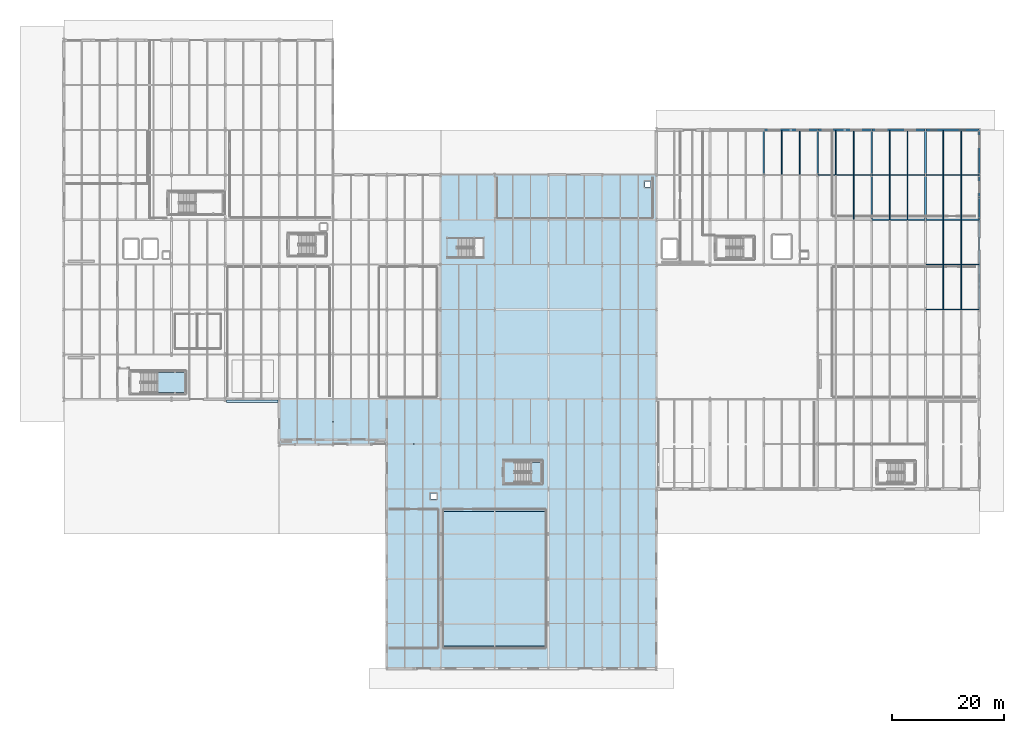
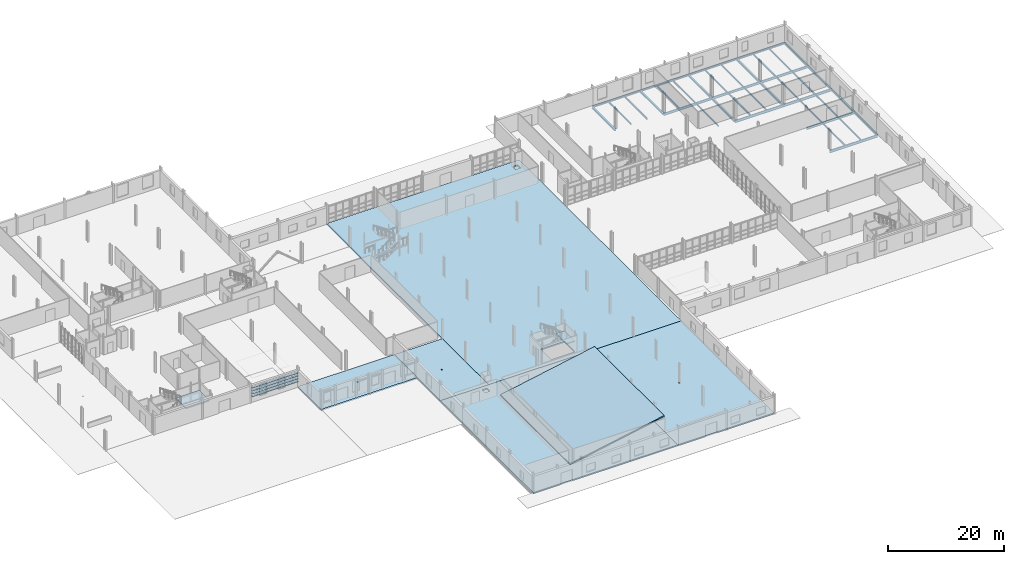
# One storey, part 47 of 78: 38 beams, 8 slabs, 4 plates, 2 elements without a shape of their own.
"""IFC4 building model written with IfcOpenShell, lengths in metres."""

from ifc_helpers import new_model, si_unit, direction, frame, origin, origin_2d, place, context, subcontext, project, spatial, polyline, rectangle, i_section, outline, extrude, material, layer, layer_set, material_profile, profile_set, type_object, element, aggregate, save


model = new_model("IFC4")

# Units and contexts
model_context = context("Model", 3, precision=1e-05, world=origin(), true_north=direction((0.0, 1.0)))
body_context = subcontext(model_context, "Body", "Model", "MODEL_VIEW")
ifc_project = project(units=[si_unit("LENGTHUNIT", "METRE"), si_unit("AREAUNIT", "SQUARE_METRE"), si_unit("VOLUMEUNIT", "CUBIC_METRE"), si_unit("PLANEANGLEUNIT", "RADIAN"), si_unit("MASSUNIT", "GRAM", prefix="KILO")], contexts=[model_context])

# Site, building, storey
site_placement = place(None, origin())
site = spatial("IfcSite", under=ifc_project, at=site_placement, CompositionType="ELEMENT")
building_placement = place(site_placement, origin())
building = spatial("IfcBuilding", under=site, at=building_placement, Name="Alderhovde Museum", CompositionType="ELEMENT")
storey_placement = place(building_placement, origin())
storey = spatial("IfcBuildingStorey", under=building, at=storey_placement, Name="L00", CompositionType="ELEMENT", Elevation=0.0)

# Beams
ifc_material_1 = material(Name="Steel S355J2", Category="steel")
ifc_material_profile_1 = material_profile(ifc_material_1, i_section(OverallWidth=0.300048828125, OverallDepth=0.389892578125, WebThickness=0.010986328125, FlangeThickness=0.01904296875, FilletRadius=0.027099609375, at=origin_2d()), Name="HEA 400")
ifc_profile_set_1 = profile_set([ifc_material_profile_1], Name="Steel S355J2")
beam_type_1 = type_object("IfcBeamType", Name="BM-HEA400", PredefinedType="BEAM", material=ifc_profile_set_1)
for number, where, z_axis, x_axis, name in (
    (1, (134.39990234375, 88.0, -0.47509765625), (0.0, 1.0, 0.0), (-1.0, 0.0, 0.0), "L00 Grid Beam X=134.4 (88.0 TO 96.0)"),
    (2, (144.0, 88.0, -0.47509765625), (0.0, 1.0, 0.0), (-1.0, 0.0, 0.0), "L00 Grid Beam X=144.0 (88.0 TO 96.0)"),
    (3, (153.60009765625, 80.0, -0.47509765625), (0.0, 1.0, 0.0), (-1.0, 0.0, 0.0), "L00 Grid Beam X=153.6 (80.0 TO 88.0)"),
    (4, (153.60009765625, 88.0, -0.47509765625), (0.0, 1.0, 0.0), (-1.0, 0.0, 0.0), "L00 Grid Beam X=153.6 (88.0 TO 96.0)"),
    (5, (163.199951171875, 80.0, -0.47509765625), (0.0, 1.0, 0.0), (-1.0, 0.0, 0.0), "L00 Grid Beam X=163.2 (80.0 TO 88.0)"),
    (6, (163.199951171875, 88.0, -0.47509765625), (0.0, 1.0, 0.0), (-1.0, 0.0, 0.0), "L00 Grid Beam X=163.2 (88.0 TO 96.0)"),
    (7, (172.800048828125, 64.0, -0.47509765625), (0.0, 1.0, 0.0), (-1.0, 0.0, 0.0), "L00 Grid Beam X=172.8 (64.0 TO 72.0)"),
    (8, (172.800048828125, 72.0, -0.47509765625), (0.0, 1.0, 0.0), (-1.0, 0.0, 0.0), "L00 Grid Beam X=172.8 (72.0 TO 80.0)"),
    (9, (172.800048828125, 80.0, -0.47509765625), (0.0, 1.0, 0.0), (-1.0, 0.0, 0.0), "L00 Grid Beam X=172.8 (80.0 TO 88.0)"),
    (10, (172.800048828125, 88.0, -0.47509765625), (0.0, 1.0, 0.0), (-1.0, 0.0, 0.0), "L00 Grid Beam X=172.8 (88.0 TO 96.0)"),
):
    element("IfcBeam", number, at=place(storey_placement, frame(where, z_axis=z_axis, x_axis=x_axis)), inside=storey, type_object=beam_type_1, Name=name, PredefinedType="BEAM", context=body_context, shape_type="SweptSolid", body=[
        extrude(i_section(OverallWidth=0.300048828125, OverallDepth=0.389892578125, WebThickness=0.010986328125, FlangeThickness=0.01904296875, FilletRadius=0.027099609375, at=origin_2d()), origin(), (0.0, 0.0, 1.0), 8.0),
    ])
ifc_material_2 = material(Name="Steel S355J2", Category="steel")
ifc_material_profile_2 = material_profile(ifc_material_2, i_section(OverallWidth=0.199951171875, OverallDepth=0.5, WebThickness=0.01025390625, FlangeThickness=0.01611328125, FilletRadius=0.02099609375, at=origin_2d()), Name="IPE 500")
ifc_profile_set_2 = profile_set([ifc_material_profile_2], Name="Steel S355J2")
beam_type_2 = type_object("IfcBeamType", Name="BM-IPE500", PredefinedType="BEAM", material=ifc_profile_set_2)
for number, where, z_axis, x_axis, name in (
    (11, (163.199951171875, 72.0, -0.530029296875), (1.0, 0.0, 0.0), (0.0, 1.0, 0.0), "L00 Grid Beam Y=72.0 (163.2 TO 172.8)"),
    (12, (144.0, 88.0, -0.530029296875), (1.0, 0.0, 0.0), (0.0, 1.0, 0.0), "L00 Grid Beam Y=88.0 (144.0 TO 153.6)"),
):
    element("IfcBeam", number, at=place(storey_placement, frame(where, z_axis=z_axis, x_axis=x_axis)), inside=storey, type_object=beam_type_2, Name=name, PredefinedType="BEAM", context=body_context, shape_type="SweptSolid", body=[
        extrude(i_section(OverallWidth=0.199951171875, OverallDepth=0.5, WebThickness=0.01025390625, FlangeThickness=0.01611328125, FilletRadius=0.02099609375, at=origin_2d()), origin(), (0.0, 0.0, 1.0), 9.60009765625),
    ])
beam_1_placement = place(storey_placement, frame((153.60009765625, 88.0, -0.530029296875), z_axis=(1.0, 0.0, 0.0), x_axis=(0.0, 1.0, 0.0)))
element("IfcBeam", 13, at=beam_1_placement, inside=storey, type_object=beam_type_2, Name="L00 Grid Beam Y=88.0 (153.6 TO 163.2)", PredefinedType="BEAM", context=body_context, shape_type="SweptSolid", body=[
    extrude(i_section(OverallWidth=0.199951171875, OverallDepth=0.5, WebThickness=0.01025390625, FlangeThickness=0.01611328125, FilletRadius=0.02099609375, at=origin_2d()), origin(), (0.0, 0.0, 1.0), 9.599853515625),
])
beam_2_placement = place(storey_placement, frame((163.199951171875, 88.0, -0.530029296875), z_axis=(1.0, 0.0, 0.0), x_axis=(0.0, 1.0, 0.0)))
element("IfcBeam", 14, at=beam_2_placement, inside=storey, type_object=beam_type_2, Name="L00 Grid Beam Y=88.0 (163.2 TO 172.8)", PredefinedType="BEAM", context=body_context, shape_type="SweptSolid", body=[
    extrude(i_section(OverallWidth=0.199951171875, OverallDepth=0.5, WebThickness=0.01025390625, FlangeThickness=0.01611328125, FilletRadius=0.02099609375, at=origin_2d()), origin(), (0.0, 0.0, 1.0), 9.60009765625),
])
ifc_material_3 = material(Name="Steel S355J2", Category="steel")
ifc_material_profile_3 = material_profile(ifc_material_3, i_section(OverallWidth=0.2099609375, OverallDepth=0.550048828125, WebThickness=0.010986328125, FlangeThickness=0.01708984375, FilletRadius=0.02392578125, at=origin_2d()), Name="IPE 550")
ifc_profile_set_3 = profile_set([ifc_material_profile_3], Name="Steel S355J2")
beam_type_3 = type_object("IfcBeamType", Name="BM-IPE550", PredefinedType="BEAM", material=ifc_profile_set_3)
beam_3_placement = place(storey_placement, frame((163.199951171875, 64.0, -0.554931640625), z_axis=(1.0, 0.0, 0.0), x_axis=(0.0, 1.0, 0.0)))
element("IfcBeam", 15, at=beam_3_placement, inside=storey, type_object=beam_type_3, Name="L00 Grid Beam Y=64.0 (163.2 TO 172.8)", PredefinedType="BEAM", context=body_context, shape_type="SweptSolid", body=[
    extrude(i_section(OverallWidth=0.2099609375, OverallDepth=0.550048828125, WebThickness=0.010986328125, FlangeThickness=0.01708984375, FilletRadius=0.02392578125, at=origin_2d()), origin(), (0.0, 0.0, 1.0), 9.60009765625),
])
beam_4_placement = place(storey_placement, frame((153.60009765625, 80.0, -0.554931640625), z_axis=(1.0, 0.0, 0.0), x_axis=(0.0, 1.0, 0.0)))
element("IfcBeam", 16, at=beam_4_placement, inside=storey, type_object=beam_type_3, Name="L00 Grid Beam Y=80.0 (153.6 TO 163.2)", PredefinedType="BEAM", context=body_context, shape_type="SweptSolid", body=[
    extrude(i_section(OverallWidth=0.2099609375, OverallDepth=0.550048828125, WebThickness=0.010986328125, FlangeThickness=0.01708984375, FilletRadius=0.02392578125, at=origin_2d()), origin(), (0.0, 0.0, 1.0), 9.599853515625),
])
beam_5_placement = place(storey_placement, frame((163.199951171875, 80.0, -0.554931640625), z_axis=(1.0, 0.0, 0.0), x_axis=(0.0, 1.0, 0.0)))
element("IfcBeam", 17, at=beam_5_placement, inside=storey, type_object=beam_type_3, Name="L00 Grid Beam Y=80.0 (163.2 TO 172.8)", PredefinedType="BEAM", context=body_context, shape_type="SweptSolid", body=[
    extrude(i_section(OverallWidth=0.2099609375, OverallDepth=0.550048828125, WebThickness=0.010986328125, FlangeThickness=0.01708984375, FilletRadius=0.02392578125, at=origin_2d()), origin(), (0.0, 0.0, 1.0), 9.60009765625),
])
ifc_material_4 = material(Name="Steel S355J2", Category="steel")
ifc_material_profile_4 = material_profile(ifc_material_4, i_section(OverallWidth=0.159912109375, OverallDepth=0.330078125, WebThickness=0.007568359375, FlangeThickness=0.011474609375, FilletRadius=0.01806640625, at=origin_2d()), Name="IPE 330")
ifc_profile_set_4 = profile_set([ifc_material_profile_4], Name="Steel S355J2")
beam_type_4 = type_object("IfcBeamType", Name="JST-IPE330", PredefinedType="JOIST", material=ifc_profile_set_4)
for number, where, z_axis, x_axis, name in (
    (18, (137.60009765625, 88.10009765625, -0.445068359375), (0.0, 1.0, 0.0), (-1.0, 0.0, 0.0), "L00 Composite Joist X=137.6 (88.0 TO 96.0)"),
    (19, (140.800048828125, 88.10009765625, -0.445068359375), (0.0, 1.0, 0.0), (-1.0, 0.0, 0.0), "L00 Composite Joist X=140.8 (88.0 TO 96.0)"),
):
    element("IfcBeam", number, at=place(storey_placement, frame(where, z_axis=z_axis, x_axis=x_axis)), inside=storey, type_object=beam_type_4, Name=name, PredefinedType="JOIST", context=body_context, shape_type="SweptSolid", body=[
        extrude(i_section(OverallWidth=0.159912109375, OverallDepth=0.330078125, WebThickness=0.007568359375, FlangeThickness=0.011474609375, FilletRadius=0.01806640625, at=origin_2d()), origin(), (0.0, 0.0, 1.0), 7.75),
    ])
beam_6_placement = place(storey_placement, frame((150.39990234375, 80.10498046875, -0.445068359375), z_axis=(0.0, 1.0, 0.0), x_axis=(-1.0, 0.0, 0.0)))
element("IfcBeam", 20, at=beam_6_placement, inside=storey, type_object=beam_type_4, Name="L00 Composite Joist X=150.4 (80.0 TO 88.0)", PredefinedType="JOIST", context=body_context, shape_type="SweptSolid", body=[
    extrude(i_section(OverallWidth=0.159912109375, OverallDepth=0.330078125, WebThickness=0.007568359375, FlangeThickness=0.011474609375, FilletRadius=0.01806640625, at=origin_2d()), origin(), (0.0, 0.0, 1.0), 7.794921875),
])
for number, where, z_axis, x_axis, name in (
    (21, (147.199951171875, 88.10009765625, -0.445068359375), (0.0, 1.0, 0.0), (-1.0, 0.0, 0.0), "L00 Composite Joist X=147.2 (88.0 TO 96.0)"),
    (22, (150.39990234375, 88.10009765625, -0.445068359375), (0.0, 1.0, 0.0), (-1.0, 0.0, 0.0), "L00 Composite Joist X=150.4 (88.0 TO 96.0)"),
):
    element("IfcBeam", number, at=place(storey_placement, frame(where, z_axis=z_axis, x_axis=x_axis)), inside=storey, type_object=beam_type_4, Name=name, PredefinedType="JOIST", context=body_context, shape_type="SweptSolid", body=[
        extrude(i_section(OverallWidth=0.159912109375, OverallDepth=0.330078125, WebThickness=0.007568359375, FlangeThickness=0.011474609375, FilletRadius=0.01806640625, at=origin_2d()), origin(), (0.0, 0.0, 1.0), 7.75),
    ])
for number, where, z_axis, x_axis, name in (
    (23, (156.800048828125, 80.10498046875, -0.445068359375), (0.0, 1.0, 0.0), (-1.0, 0.0, 0.0), "L00 Composite Joist X=156.8 (80.0 TO 88.0)"),
    (24, (160.0, 80.10498046875, -0.445068359375), (0.0, 1.0, 0.0), (-1.0, 0.0, 0.0), "L00 Composite Joist X=160.0 (80.0 TO 88.0)"),
):
    element("IfcBeam", number, at=place(storey_placement, frame(where, z_axis=z_axis, x_axis=x_axis)), inside=storey, type_object=beam_type_4, Name=name, PredefinedType="JOIST", context=body_context, shape_type="SweptSolid", body=[
        extrude(i_section(OverallWidth=0.159912109375, OverallDepth=0.330078125, WebThickness=0.007568359375, FlangeThickness=0.011474609375, FilletRadius=0.01806640625, at=origin_2d()), origin(), (0.0, 0.0, 1.0), 7.794921875),
    ])
for number, where, z_axis, x_axis, name in (
    (25, (156.800048828125, 88.10009765625, -0.445068359375), (0.0, 1.0, 0.0), (-1.0, 0.0, 0.0), "L00 Composite Joist X=156.8 (88.0 TO 96.0)"),
    (26, (160.0, 88.10009765625, -0.445068359375), (0.0, 1.0, 0.0), (-1.0, 0.0, 0.0), "L00 Composite Joist X=160.0 (88.0 TO 96.0)"),
):
    element("IfcBeam", number, at=place(storey_placement, frame(where, z_axis=z_axis, x_axis=x_axis)), inside=storey, type_object=beam_type_4, Name=name, PredefinedType="JOIST", context=body_context, shape_type="SweptSolid", body=[
        extrude(i_section(OverallWidth=0.159912109375, OverallDepth=0.330078125, WebThickness=0.007568359375, FlangeThickness=0.011474609375, FilletRadius=0.01806640625, at=origin_2d()), origin(), (0.0, 0.0, 1.0), 7.75),
    ])
for number, where, z_axis, x_axis, name in (
    (27, (166.39990234375, 64.10498046875, -0.445068359375), (0.0, 1.0, 0.0), (-1.0, 0.0, 0.0), "L00 Composite Joist X=166.4 (64.0 TO 72.0)"),
    (28, (169.60009765625, 64.10498046875, -0.445068359375), (0.0, 1.0, 0.0), (-1.0, 0.0, 0.0), "L00 Composite Joist X=169.6 (64.0 TO 72.0)"),
    (29, (166.39990234375, 72.10009765625, -0.445068359375), (0.0, 1.0, 0.0), (-1.0, 0.0, 0.0), "L00 Composite Joist X=166.4 (72.0 TO 80.0)"),
    (30, (169.60009765625, 72.10009765625, -0.445068359375), (0.0, 1.0, 0.0), (-1.0, 0.0, 0.0), "L00 Composite Joist X=169.6 (72.0 TO 80.0)"),
    (31, (166.39990234375, 80.10498046875, -0.445068359375), (0.0, 1.0, 0.0), (-1.0, 0.0, 0.0), "L00 Composite Joist X=166.4 (80.0 TO 88.0)"),
    (32, (169.60009765625, 80.10498046875, -0.445068359375), (0.0, 1.0, 0.0), (-1.0, 0.0, 0.0), "L00 Composite Joist X=169.6 (80.0 TO 88.0)"),
):
    element("IfcBeam", number, at=place(storey_placement, frame(where, z_axis=z_axis, x_axis=x_axis)), inside=storey, type_object=beam_type_4, Name=name, PredefinedType="JOIST", context=body_context, shape_type="SweptSolid", body=[
        extrude(i_section(OverallWidth=0.159912109375, OverallDepth=0.330078125, WebThickness=0.007568359375, FlangeThickness=0.011474609375, FilletRadius=0.01806640625, at=origin_2d()), origin(), (0.0, 0.0, 1.0), 7.794921875),
    ])
for number, where, z_axis, x_axis, name in (
    (33, (166.39990234375, 88.10009765625, -0.445068359375), (0.0, 1.0, 0.0), (-1.0, 0.0, 0.0), "L00 Composite Joist X=166.4 (88.0 TO 96.0)"),
    (34, (169.60009765625, 88.10009765625, -0.445068359375), (0.0, 1.0, 0.0), (-1.0, 0.0, 0.0), "L00 Composite Joist X=169.6 (88.0 TO 96.0)"),
):
    element("IfcBeam", number, at=place(storey_placement, frame(where, z_axis=z_axis, x_axis=x_axis)), inside=storey, type_object=beam_type_4, Name=name, PredefinedType="JOIST", context=body_context, shape_type="SweptSolid", body=[
        extrude(i_section(OverallWidth=0.159912109375, OverallDepth=0.330078125, WebThickness=0.007568359375, FlangeThickness=0.011474609375, FilletRadius=0.01806640625, at=origin_2d()), origin(), (0.0, 0.0, 1.0), 7.75),
    ])
ifc_material_5 = material(Name="Steel S355J2", Category="steel")
ifc_material_profile_5 = material_profile(ifc_material_5, i_section(OverallWidth=0.300048828125, OverallDepth=0.2900390625, WebThickness=0.008544921875, FlangeThickness=0.013916015625, FilletRadius=0.027099609375, at=origin_2d()), Name="HEA 300")
ifc_profile_set_5 = profile_set([ifc_material_profile_5], Name="Steel S355J2")
beam_type_5 = type_object("IfcBeamType", Name="SPD-HEA300", PredefinedType="SPANDREL", material=ifc_profile_set_5)
for number, where, z_axis, x_axis, name in (
    (35, (134.39990234375, 96.0, -0.425048828125), (1.0, 0.0, 0.0), (0.0, 1.0, 0.0), "L00 Grid Beam Y=96.0 (134.4 TO 144.0)"),
    (36, (144.0, 96.0, -0.425048828125), (1.0, 0.0, 0.0), (0.0, 1.0, 0.0), "L00 Grid Beam Y=96.0 (144.0 TO 153.6)"),
):
    element("IfcBeam", number, at=place(storey_placement, frame(where, z_axis=z_axis, x_axis=x_axis)), inside=storey, type_object=beam_type_5, Name=name, PredefinedType="SPANDREL", context=body_context, shape_type="SweptSolid", body=[
        extrude(i_section(OverallWidth=0.300048828125, OverallDepth=0.2900390625, WebThickness=0.008544921875, FlangeThickness=0.013916015625, FilletRadius=0.027099609375, at=origin_2d()), origin(), (0.0, 0.0, 1.0), 9.60009765625),
    ])
beam_7_placement = place(storey_placement, frame((153.60009765625, 96.0, -0.425048828125), z_axis=(1.0, 0.0, 0.0), x_axis=(0.0, 1.0, 0.0)))
element("IfcBeam", 37, at=beam_7_placement, inside=storey, type_object=beam_type_5, Name="L00 Grid Beam Y=96.0 (153.6 TO 163.2)", PredefinedType="SPANDREL", context=body_context, shape_type="SweptSolid", body=[
    extrude(i_section(OverallWidth=0.300048828125, OverallDepth=0.2900390625, WebThickness=0.008544921875, FlangeThickness=0.013916015625, FilletRadius=0.027099609375, at=origin_2d()), origin(), (0.0, 0.0, 1.0), 9.599853515625),
])
beam_8_placement = place(storey_placement, frame((163.199951171875, 96.0, -0.425048828125), z_axis=(1.0, 0.0, 0.0), x_axis=(0.0, 1.0, 0.0)))
element("IfcBeam", 38, at=beam_8_placement, inside=storey, type_object=beam_type_5, Name="L00 Grid Beam Y=96.0 (163.2 TO 172.8)", PredefinedType="SPANDREL", context=body_context, shape_type="SweptSolid", body=[
    extrude(i_section(OverallWidth=0.300048828125, OverallDepth=0.2900390625, WebThickness=0.008544921875, FlangeThickness=0.013916015625, FilletRadius=0.027099609375, at=origin_2d()), origin(), (0.0, 0.0, 1.0), 9.60009765625),
])

# Plates
ifc_material_6 = material(Name="Bronze-Anodised Aluminium EN AW-6063-T6", Category="aluminium")
ifc_layer_1 = layer(ifc_material_6, 0.06494140625)
ifc_layer_set_1 = layer_set([ifc_layer_1], Name="Bronze-Anodised Aluminium EN AW-6063-T6")
plate_type = type_object("IfcPlateType", Name="LV-BLADE-450", PredefinedType="USERDEFINED", material=ifc_layer_set_1)
for number, where, z_axis, x_axis, name in (
    (39, (43.199951171875, 47.64501953125, 1.41748046875), (0.0, 0.0, 1.0), (1.0, 0.0, 0.0), "L00 Wrap-Around Horizontal Louvre 33"),
    (40, (43.199951171875, 47.64501953125, 2.017578125), (0.0, 0.0, 1.0), (1.0, 0.0, 0.0), "L00 Wrap-Around Horizontal Louvre 34"),
    (41, (43.199951171875, 47.64501953125, 2.617431640625), (0.0, 0.0, 1.0), (1.0, 0.0, 0.0), "L00 Wrap-Around Horizontal Louvre 35"),
    (42, (43.199951171875, 47.64501953125, 3.217529296875), (0.0, 0.0, 1.0), (1.0, 0.0, 0.0), "L00 Wrap-Around Horizontal Louvre 36"),
):
    element("IfcPlate", number, at=place(storey_placement, frame(where, z_axis=z_axis, x_axis=x_axis)), inside=storey, type_object=plate_type, Name=name, ObjectType="LOUVRE BLADE", PredefinedType="USERDEFINED", context=body_context, shape_type="SweptSolid", body=[
        extrude(rectangle(XDim=9.199951171875, YDim=0.449951171875, at=origin_2d()), origin(), (0.0, 0.0, 1.0), 0.06494140625),
    ])

# Slabs
ifc_material_7 = material(Name="Concrete C35/45", Category="concrete")
ifc_layer_2 = layer(ifc_material_7, 0.280029296875)
ifc_layer_set_2 = layer_set([ifc_layer_2], Name="Concrete C35/45")
slab_type_1 = type_object("IfcSlabType", Name="SLB-FLR-280", PredefinedType="FLOOR", material=ifc_layer_set_2)
slab_1_placement = place(storey_placement, frame((0.0, 0.0, -0.280029296875)))
element("IfcSlab", 43, at=slab_1_placement, inside=storey, type_object=slab_type_1, Name="L00 VOL6 Structural Slab", PredefinedType="FLOOR", context=body_context, shape_type="SweptSolid", body=[
    extrude(outline(polyline([(48.0, 40.0), (67.199951171875, 40.0), (67.199951171875, 48.0), (48.0, 48.0), (48.0, 40.0)]), holes=[polyline([(57.489990234375, 43.889892578125), (57.7099609375, 43.889892578125), (57.7099609375, 44.110107421875), (57.489990234375, 44.110107421875), (57.489990234375, 43.889892578125)])]), origin(), (0.0, 0.0, 1.0), 0.280029296875),
])
slab_2_placement = place(storey_placement, frame((0.0, 0.0, -0.280029296875)))
element("IfcSlab", 44, at=slab_2_placement, inside=storey, type_object=slab_type_1, Name="L00 VOL3 Structural Slab", PredefinedType="FLOOR", context=body_context, shape_type="SweptSolid", body=[
    extrude(outline(polyline([(67.199951171875, 32.0), (76.800048828125, 32.0), (76.800048828125, 48.0), (67.199951171875, 48.0), (67.199951171875, 32.0)]), holes=[polyline([(71.889892578125, 39.889892578125), (72.110107421875, 39.889892578125), (72.110107421875, 40.110107421875), (71.889892578125, 40.110107421875), (71.889892578125, 39.889892578125)])]), origin(), (0.0, 0.0, 1.0), 0.280029296875),
])
slab_3_placement = place(storey_placement, frame((0.0, 0.0, -0.280029296875)))
element("IfcSlab", 45, at=slab_3_placement, inside=storey, type_object=slab_type_1, Name="L00 VOL2 Structural Slab", PredefinedType="FLOOR", context=body_context, shape_type="SweptSolid", body=[
    extrude(outline(polyline([(76.800048828125, 32.0), (115.199951171875, 32.0), (115.199951171875, 88.0), (76.800048828125, 88.0), (76.800048828125, 32.0)]), holes=[polyline([(89.909912109375, 33.199951171875), (94.639892578125, 33.199951171875), (94.639892578125, 36.760009765625), (89.909912109375, 36.760009765625), (89.909912109375, 33.199951171875)]), polyline([(113.199951171875, 85.800048828125), (114.199951171875, 85.800048828125), (114.199951171875, 86.800048828125), (113.199951171875, 86.800048828125), (113.199951171875, 85.800048828125)])]), origin(), (0.0, 0.0, 1.0), 0.280029296875),
])
slab_4_placement = place(storey_placement, frame((0.0, 0.0, -0.280029296875)))
element("IfcSlab", 46, at=slab_4_placement, inside=storey, type_object=slab_type_1, Name="L00 VOL3 Structural Slab", PredefinedType="FLOOR", context=body_context, shape_type="SweptSolid", body=[
    extrude(outline(polyline([(67.199951171875, 0.0), (96.0, 0.0), (96.0, 32.0), (67.199951171875, 32.0), (67.199951171875, 0.0)]), holes=[polyline([(75.0, 30.199951171875), (76.0, 30.199951171875), (76.0, 31.199951171875), (75.0, 31.199951171875), (75.0, 30.199951171875)])]), origin(), (0.0, 0.0, 1.0), 0.280029296875),
])
slab_5_placement = place(storey_placement, frame((0.0, 0.0, -0.280029296875)))
element("IfcSlab", 47, at=slab_5_placement, inside=storey, type_object=slab_type_1, Name="L00 VOL3 Structural Slab", PredefinedType="FLOOR", context=body_context, shape_type="SweptSolid", body=[
    extrude(outline(polyline([(96.0, 0.0), (115.199951171875, 0.0), (115.199951171875, 32.0), (96.0, 32.0), (96.0, 0.0)]), holes=[polyline([(105.489990234375, 15.889892578125), (105.7099609375, 15.889892578125), (105.7099609375, 16.110107421875), (105.489990234375, 16.110107421875), (105.489990234375, 15.889892578125)])]), origin(), (0.0, 0.0, 1.0), 0.280029296875),
])

# Stair, slab
ifc_material_8 = material(Name="Concrete C35/45", Category="concrete")
stair_type = type_object("IfcStairType", Name="STR-1500-4500", PredefinedType="HALF_TURN_STAIR", material=ifc_material_8)
stair_1_placement = place(storey_placement, origin())
stair_1 = element("IfcStair", 48, at=stair_1_placement, inside=storey, type_object=stair_type, Name="L00 Escape Stair ST1", PredefinedType="HALF_TURN_STAIR")
ifc_material_9 = material(Name="Concrete C35/45", Category="concrete")
ifc_layer_3 = layer(ifc_material_9, 0.199951171875)
ifc_layer_set_3 = layer_set([ifc_layer_3], Name="Concrete C35/45")
slab_type_2 = type_object("IfcSlabType", Name="SLB-LANDING-200", PredefinedType="LANDING", material=ifc_layer_set_3)
slab_6_placement = place(storey_placement, frame((0.0, 0.0, 2.050048828125)))
slab_6 = element("IfcSlab", 49, at=slab_6_placement, type_object=slab_type_2, Name="ST1 landing 1", PredefinedType="LANDING", context=body_context, shape_type="SweptSolid", body=[
    extrude(outline(polyline([(26.360107421875, 49.199951171875), (31.1201171875, 49.199951171875), (31.1201171875, 52.760009765625), (26.360107421875, 52.760009765625), (26.360107421875, 49.199951171875)])), origin(), (0.0, 0.0, 1.0), 0.199951171875),
])
aggregate(stair_1, [slab_6])

stair_2_placement = place(storey_placement, origin())
stair_2 = element("IfcStair", 50, at=stair_2_placement, inside=storey, type_object=stair_type, Name="L00 Escape Stair ST3", PredefinedType="HALF_TURN_STAIR")
slab_7_placement = place(storey_placement, frame((0.0, 0.0, 2.050048828125)))
slab_7 = element("IfcSlab", 51, at=slab_7_placement, type_object=slab_type_2, Name="ST3 landing 1", PredefinedType="LANDING", context=body_context, shape_type="SweptSolid", body=[
    extrude(outline(polyline([(92.9599609375, 33.199951171875), (94.639892578125, 33.199951171875), (94.639892578125, 36.760009765625), (92.9599609375, 36.760009765625), (92.9599609375, 33.199951171875)])), origin(), (0.0, 0.0, 1.0), 0.199951171875),
])
aggregate(stair_2, [slab_7])

# Slab
ifc_material_10 = material(Name="Concrete C35/45", Category="concrete")
ifc_layer_4 = layer(ifc_material_10, 0.239990234375)
ifc_layer_set_4 = layer_set([ifc_layer_4], Name="Concrete C35/45")
slab_type_3 = type_object("IfcSlabType", Name="SLB-RAKE-240", PredefinedType="FLOOR", material=ifc_layer_set_4)
slab_8_placement = place(storey_placement, frame((76.800048828125, 4.0, 0.300048828125), z_axis=(-0.188064417603, 0.0, 0.982156695661), x_axis=(0.982156695661, 0.0, 0.188064417603)))
element("IfcSlab", 52, at=slab_8_placement, inside=storey, type_object=slab_type_3, Name="L00 Civic Auditorium Raked Tier Slab", PredefinedType="FLOOR", context=body_context, shape_type="SweptSolid", body=[
    extrude(outline(polyline([(0.0, 0.0), (19.141598190167972, 0.0), (19.141598190167972, 24.0), (0.0, 24.0), (0.0, 0.0)])), origin(), (0.0, 0.0, -1.0), 0.239990234375),
])

save(model, "model.ifc")
